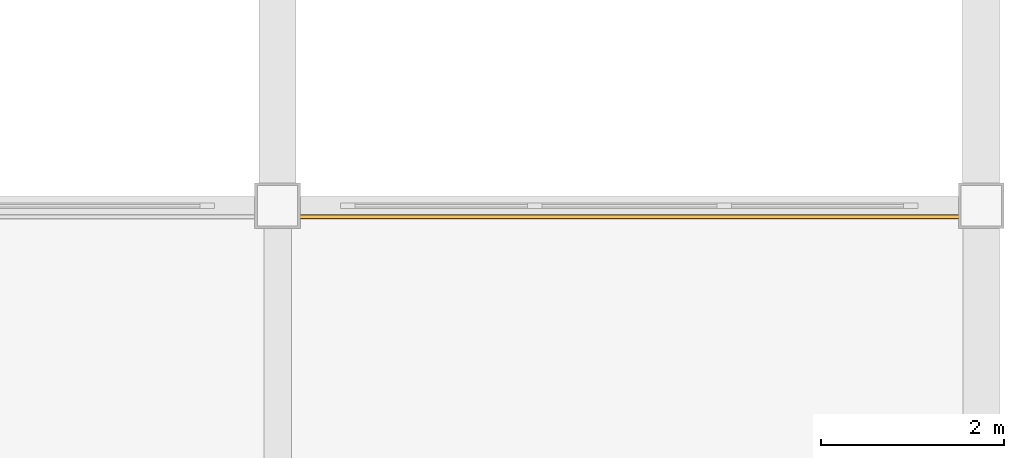
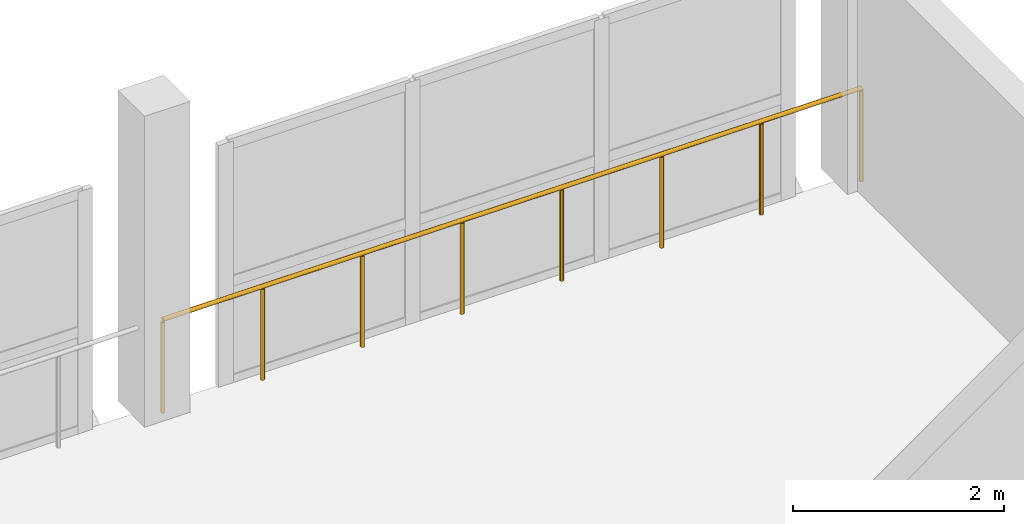
# One storey, part 51 of 51: 1 railing.
"""IFC4 building model written with IfcOpenShell, lengths in metres."""

from ifc_helpers import new_model, si_unit, direction, frame, origin, origin_2d, place, context, subcontext, project, spatial, circle, extrude, material, type_object, element, save


model = new_model("IFC4")

# Units and contexts
model_context = context("Model", 3, precision=1e-05, world=origin(), true_north=direction((0.0, 1.0)))
body_context = subcontext(model_context, "Body", "Model", "MODEL_VIEW")
ifc_project = project(units=[si_unit("LENGTHUNIT", "METRE"), si_unit("AREAUNIT", "SQUARE_METRE"), si_unit("VOLUMEUNIT", "CUBIC_METRE"), si_unit("PLANEANGLEUNIT", "RADIAN"), si_unit("MASSUNIT", "GRAM", prefix="KILO")], contexts=[model_context])

# Site, building, storey
site_placement = place(None, origin())
site = spatial("IfcSite", under=ifc_project, at=site_placement, CompositionType="ELEMENT")
building_placement = place(site_placement, origin())
building = spatial("IfcBuilding", under=site, at=building_placement, Name="Vharandega Faculty of Natural Sciences", CompositionType="ELEMENT")
storey_placement = place(building_placement, frame((0.0, 0.0, 14.39990234375)))
storey = spatial("IfcBuildingStorey", under=building, at=storey_placement, Name="L03", CompositionType="ELEMENT", Elevation=14.39990234375)

# Railing
ifc_material = material(Name="Timber-capped steel and glass balustrade", Category="steel")
railing_type = type_object("IfcRailingType", Name="Atrium Void Balustrade 1100", PredefinedType="BALUSTRADE", material=ifc_material)
railing_placement = place(storey_placement, frame((153.72509765625, 84.8798828125, 0.0)))
element("IfcRailing", 1, at=railing_placement, inside=storey, type_object=railing_type, Name="Laboratory Glazing Sill Balustrade L03 #6", PredefinedType="BALUSTRADE", context=body_context, shape_type="SweptSolid", body=[
    extrude(circle(Radius=0.02392578125, at=origin_2d()), frame((0.0, 0.0, 1.076171875), z_axis=(1.0, 0.0, 0.0), x_axis=(0.0, 1.0, 0.0)), (0.0, 0.0, 1.0), 7.64990234375),
    extrude(circle(Radius=0.02099609375, at=origin_2d()), origin(), (0.0, 0.0, 1.0), 1.052001953125),
    extrude(circle(Radius=0.02099609375, at=origin_2d()), frame((1.0927734375, 0.0, 0.0)), (0.0, 0.0, 1.0), 1.052001953125),
    extrude(circle(Radius=0.02099609375, at=origin_2d()), frame((2.185791015625, 0.0, 0.0)), (0.0, 0.0, 1.0), 1.052001953125),
    extrude(circle(Radius=0.02099609375, at=origin_2d()), frame((3.278564453125, 0.0, 0.0)), (0.0, 0.0, 1.0), 1.052001953125),
    extrude(circle(Radius=0.02099609375, at=origin_2d()), frame((4.371337890625, 0.0, 0.0)), (0.0, 0.0, 1.0), 1.052001953125),
    extrude(circle(Radius=0.02099609375, at=origin_2d()), frame((5.464111328125, 0.0, 0.0)), (0.0, 0.0, 1.0), 1.052001953125),
    extrude(circle(Radius=0.02099609375, at=origin_2d()), frame((6.55712890625, 0.0, 0.0)), (0.0, 0.0, 1.0), 1.052001953125),
    extrude(circle(Radius=0.02099609375, at=origin_2d()), frame((7.64990234375, 0.0, 0.0)), (0.0, 0.0, 1.0), 1.052001953125),
])

save(model, "model.ifc")
